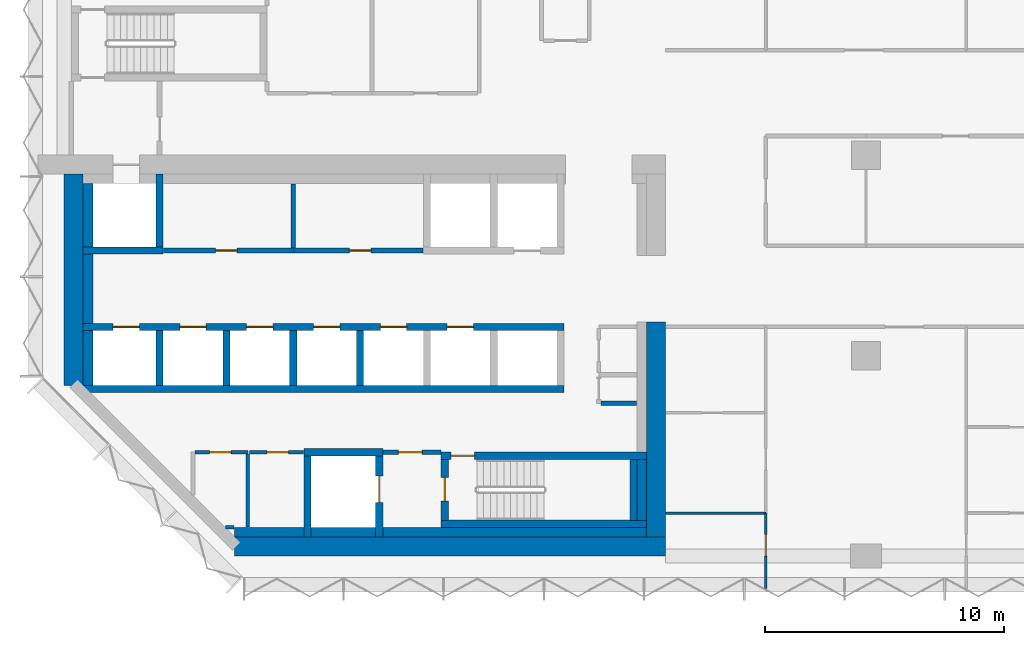
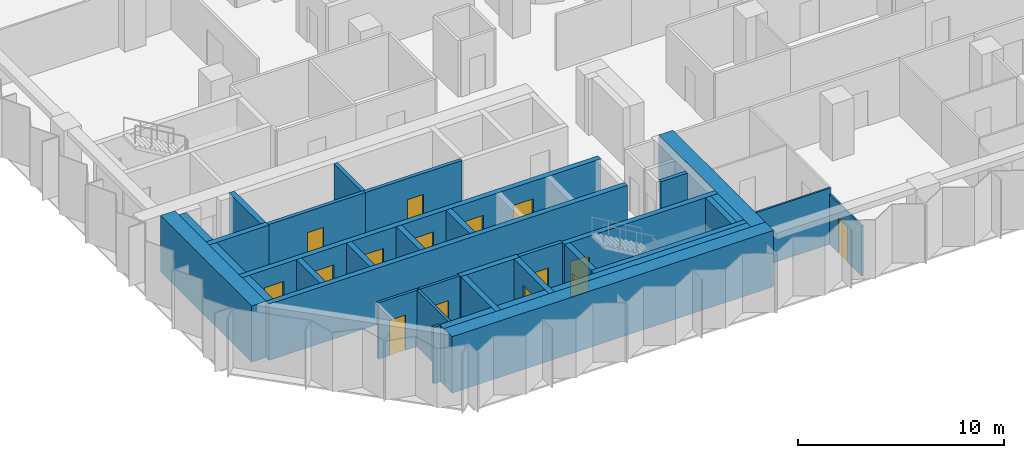
# One storey, part 7 of 13: 36 walls, 15 doors, 15 openings.
"""IFC4 building model written with IfcOpenShell, lengths in metres."""

import ifcopenshell
import ifcopenshell.guid

model = None  # the IFC model being written
_history = None  # IfcOwnerHistory: only IFC2X3 demands one
_inside = {}  # id of a spatial element -> (the spatial element, [elements in it])
_under = {}  # id of a project, library or spatial element -> (it, [spatial elements below it])
_declared = {}  # id of a project -> (the project, [libraries it declares])
_typed = {}  # id of a type object -> (the type object, [elements of that type])
_made_of = {}  # id of a material, layer set ... -> (it, [elements and type objects made of it])


def new_model(schema):
    """Start an empty IFC model of exactly this schema.

    Asked for "IFC4X3", IfcOpenShell would pick the latest addendum, in which some entities
    have other attributes; the version numbers below select the first issue.
    IFC2X3 requires an IfcOwnerHistory on every rooted entity: one is made here for all.
    """
    global model, _history
    if schema == "IFC4X3":
        model = ifcopenshell.file(schema_version=(4, 3, 0, 0))
    else:
        model = ifcopenshell.file(schema=schema)
    _inside.clear()
    _under.clear()
    _declared.clear()
    _typed.clear()
    _made_of.clear()
    _history = None
    if model.schema == "IFC2X3":
        org = make("IfcOrganization", Name="unknown")
        user = make(
            "IfcPersonAndOrganization",
            ThePerson=make("IfcPerson", FamilyName="unknown"),
            TheOrganization=org,
        )
        app = make(
            "IfcApplication",
            ApplicationDeveloper=org,
            Version="unknown",
            ApplicationFullName="unknown",
            ApplicationIdentifier="unknown",
        )
        _history = make(
            "IfcOwnerHistory",
            OwningUser=user,
            OwningApplication=app,
            ChangeAction="ADDED",
            CreationDate=0,
        )
    return model


def make(cls, **values):
    """One entity of the class cls with the attributes given. An attribute that is None is left unset."""
    return model.create_entity(
        cls, **{name: value for name, value in values.items() if value is not None}
    )


def rooted(cls, **values):
    """An entity with a GlobalId (a new one), such as an element, a storey or a relation."""
    return make(cls, GlobalId=ifcopenshell.guid.new(), OwnerHistory=_history, **values)


def si_unit(unit_type, name, prefix=None):
    """IfcSIUnit, for example si_unit("LENGTHUNIT", "METRE", prefix="MILLI")."""
    return make("IfcSIUnit", UnitType=unit_type, Prefix=prefix, Name=name)


def assignment(units):
    """IfcUnitAssignment: the units of a project."""
    return None if units is None else make("IfcUnitAssignment", Units=units)


def point(xyz):
    """IfcCartesianPoint."""
    return None if xyz is None else make("IfcCartesianPoint", Coordinates=xyz)


def direction(xyz):
    """IfcDirection."""
    return None if xyz is None else make("IfcDirection", DirectionRatios=xyz)


def frame(location, z_axis=None, x_axis=None):
    """IfcAxis2Placement3D, a coordinate frame: its origin and axes. An axis left out is left unset."""
    return make(
        "IfcAxis2Placement3D",
        Location=point(location),
        Axis=direction(z_axis),
        RefDirection=direction(x_axis),
    )


def frame_2d(location, x_axis=None):
    """IfcAxis2Placement2D, a coordinate frame in the plane: its origin and x axis."""
    return make(
        "IfcAxis2Placement2D", Location=point(location), RefDirection=direction(x_axis)
    )


def origin():
    """The frame at (0, 0, 0) with its axes left unset."""
    return frame((0.0, 0.0, 0.0))


def place(relative_to, where):
    """IfcLocalPlacement: puts the frame where relative to a parent placement (None: the world)."""
    return make(
        "IfcLocalPlacement", PlacementRelTo=relative_to, RelativePlacement=where
    )


def context(
    kind, dimensions, precision=None, world=None, true_north=None, identifier=None
):
    """IfcGeometricRepresentationContext, for example the 3D "Model" context."""
    return make(
        "IfcGeometricRepresentationContext",
        ContextIdentifier=identifier,
        ContextType=kind,
        CoordinateSpaceDimension=dimensions,
        Precision=precision,
        WorldCoordinateSystem=world,
        TrueNorth=true_north,
    )


def subcontext(parent, identifier, kind, view, scale=None):
    """IfcGeometricRepresentationSubContext, for example "Body" below "Model"."""
    return make(
        "IfcGeometricRepresentationSubContext",
        ContextIdentifier=identifier,
        ContextType=kind,
        ParentContext=parent,
        TargetScale=scale,
        TargetView=view,
    )


def project(units=None, contexts=None):
    """IfcProject with its units and contexts."""
    return rooted(
        "IfcProject",
        Name="project",
        RepresentationContexts=contexts,
        UnitsInContext=assignment(units),
    )


def spatial(cls, under=None, at=None, **own):
    """A site, building, storey or space (cls), placed at a placement, below another one or the project."""
    s = rooted(cls, ObjectPlacement=at, **own)
    if under is not None:
        _under.setdefault(under.id(), (under, []))[1].append(s)
    return s


def profile(cls, at=None, kind="AREA", **sizes):
    """A parametric profile (cls). Its sizes go by their IFC names, for example OverallWidth=200.0."""
    return make(cls, ProfileType=kind, Position=at, **sizes)


def rectangle(**sizes):
    """IfcRectangleProfileDef."""
    return profile("IfcRectangleProfileDef", **sizes)


def extrude(swept, where, along, depth):
    """IfcExtrudedAreaSolid: the profile swept, set in the frame where, extruded along a direction by depth."""
    return make(
        "IfcExtrudedAreaSolid",
        SweptArea=swept,
        Position=where,
        ExtrudedDirection=direction(along),
        Depth=depth,
    )


def shape(context_of_items, identifier, shape_type, items):
    """IfcShapeRepresentation: the items that make up one representation, for example the "Body"."""
    return make(
        "IfcShapeRepresentation",
        ContextOfItems=context_of_items,
        RepresentationIdentifier=identifier,
        RepresentationType=shape_type,
        Items=items,
    )


def material(Name=None, Category=None):
    """IfcMaterial."""
    return make("IfcMaterial", Name=Name, Category=Category)


def layer(
    of_material, thickness, ventilated=None, Name=None, Category=None, Priority=None
):
    """IfcMaterialLayer: one layer of a wall or slab, of a material (None: an air gap)."""
    return make(
        "IfcMaterialLayer",
        Material=of_material,
        LayerThickness=thickness,
        IsVentilated=ventilated,
        Name=Name,
        Category=Category,
        Priority=Priority,
    )


def layer_set(layers, Name=None):
    """IfcMaterialLayerSet."""
    return make("IfcMaterialLayerSet", MaterialLayers=layers, LayerSetName=Name)


def made_of(thing, what):
    """Note that an element or type object is made of a material, layer set ...; save() writes the relation."""
    if what is not None:
        _made_of.setdefault(what.id(), (what, []))[1].append(thing)
    return thing


def type_object(cls, material=None, **own):
    """A type object (cls), such as IfcWallType, which elements share."""
    return made_of(rooted(cls, **own), material)


def element(
    cls,
    number,
    at=None,
    inside=None,
    cuts=None,
    type_object=None,
    material=None,
    context=None,
    identifier="Body",
    shape_type=None,
    held_by="IfcProductDefinitionShape",
    body=None,
    shapes=None,
    **own,
):
    """One element of the class cls, such as IfcWall. Its Tag is "e" and its number.

    at: its placement. inside: the storey or other place that contains it. cuts: it is an
    opening in that element (IfcRelVoidsElement). A single representation is given by context,
    identifier, shape_type and body (its items); several are given by shapes. held_by: the class
    of the entity that holds the representations. save() writes the other relations.
    """
    e = rooted(cls, Tag="e%d" % number, ObjectPlacement=at, **own)
    if body is not None:
        shapes = [shape(context, identifier, shape_type, body)]
    if shapes is not None:
        e.Representation = make(held_by, Representations=shapes)
    if inside is not None:
        _inside.setdefault(inside.id(), (inside, []))[1].append(e)
    if cuts is not None:
        rooted(
            "IfcRelVoidsElement", RelatingBuildingElement=cuts, RelatedOpeningElement=e
        )
    if type_object is not None:
        _typed.setdefault(type_object.id(), (type_object, []))[1].append(e)
    return made_of(e, material)


def fill(opening, filler):
    """IfcRelFillsElement: the door or window that sits in an opening."""
    return rooted(
        "IfcRelFillsElement",
        RelatingOpeningElement=opening,
        RelatedBuildingElement=filler,
    )


def aggregate(whole, parts):
    """IfcRelAggregates: a whole, such as a stair, and the parts it consists of."""
    return rooted("IfcRelAggregates", RelatingObject=whole, RelatedObjects=parts)


def save(model, path):
    """Write the relations noted so far, then the file.

    IfcRelAggregates (storeys below a building ...), IfcRelContainedInSpatialStructure (elements
    in a storey), IfcRelDefinesByType, IfcRelAssociatesMaterial and IfcRelDeclares: one each for
    every whole, place, type object, material and project.
    """
    for whole, parts in _under.values():
        aggregate(whole, parts)
    for where, things in _inside.values():
        rooted(
            "IfcRelContainedInSpatialStructure",
            RelatedElements=things,
            RelatingStructure=where,
        )
    for kind, things in _typed.values():
        rooted("IfcRelDefinesByType", RelatedObjects=things, RelatingType=kind)
    for what, things in _made_of.values():
        rooted("IfcRelAssociatesMaterial", RelatedObjects=things, RelatingMaterial=what)
    for by, libraries in _declared.values():
        rooted("IfcRelDeclares", RelatingContext=by, RelatedDefinitions=libraries)
    model.write(path)


model = new_model("IFC4")

# Units and contexts
model_context = context("Model", 3, precision=1e-05, world=origin(), true_north=direction((0.0, 1.0)))
body_context = subcontext(model_context, "Body", "Model", "MODEL_VIEW")
ifc_project = project(units=[si_unit("LENGTHUNIT", "METRE"), si_unit("AREAUNIT", "SQUARE_METRE"), si_unit("VOLUMEUNIT", "CUBIC_METRE"), si_unit("PLANEANGLEUNIT", "RADIAN"), si_unit("MASSUNIT", "GRAM", prefix="KILO")], contexts=[model_context])

# Site, building, storey
site_placement = place(None, origin())
site = spatial("IfcSite", under=ifc_project, at=site_placement, CompositionType="ELEMENT")
building_placement = place(site_placement, origin())
building = spatial("IfcBuilding", under=site, at=building_placement, Name="Brevane Broadcast Tower", CompositionType="ELEMENT")
storey_placement = place(building_placement, frame((0.0, 0.0, 109.699951171875)))
storey = spatial("IfcBuildingStorey", under=building, at=storey_placement, Name="L26", CompositionType="ELEMENT", Elevation=109.699951171875)

# Walls
ifc_material_1 = material(Name="Concrete C32/40", Category="concrete")
ifc_layer_1 = layer(ifc_material_1, 0.39990234375)
ifc_layer_set_1 = layer_set([ifc_layer_1], Name="Core chase wall 400 mm")
wall_type_1 = type_object("IfcWallType", Name="Core chase wall 400 mm", PredefinedType="PARTITIONING", material=ifc_layer_set_1)
wall_1_placement = place(storey_placement, frame((1.0, 7.14990234375, 0.0), z_axis=(0.0, 0.0, 1.0), x_axis=(0.0, 1.0, 0.0)))
element("IfcWall", 1, at=wall_1_placement, inside=storey, type_object=wall_type_1, Name="L26 chase wall LW-2-1", PredefinedType="PARTITIONING", context=body_context, shape_type="SweptSolid", body=[
    extrude(rectangle(XDim=2.300048828125, YDim=0.39990234375, at=frame_2d((1.14990234375, 0.0))), origin(), (0.0, 0.0, 1.0), 3.35009765625),
])
wall_2_placement = place(storey_placement, frame((1.0, 9.75, 0.0), z_axis=(0.0, 0.0, 1.0), x_axis=(0.0, 1.0, 0.0)))
element("IfcWall", 2, at=wall_2_placement, inside=storey, type_object=wall_type_1, Name="L26 chase wall LW-2-2-1", PredefinedType="PARTITIONING", context=body_context, shape_type="SweptSolid", body=[
    extrude(rectangle(XDim=2.89990234375, YDim=0.39990234375, at=frame_2d((1.449951171875, 0.0))), origin(), (0.0, 0.0, 1.0), 3.35009765625),
])
wall_3_placement = place(storey_placement, frame((1.0, 12.949951171875, 0.0), z_axis=(0.0, 0.0, 1.0), x_axis=(0.0, 1.0, 0.0)))
element("IfcWall", 3, at=wall_3_placement, inside=storey, type_object=wall_type_1, Name="L26 chase wall LW-2-2-2", PredefinedType="PARTITIONING", context=body_context, shape_type="SweptSolid", body=[
    extrude(rectangle(XDim=2.650146484375, YDim=0.39990234375, at=frame_2d((1.3251953125, 0.0))), origin(), (0.0, 0.0, 1.0), 3.35009765625),
])
wall_4_placement = place(storey_placement, frame((7.136474609375, 1.0, 0.0), z_axis=(0.0, 0.0, 1.0), x_axis=(1.0, 0.0, 0.0)))
element("IfcWall", 4, at=wall_4_placement, inside=storey, type_object=wall_type_1, Name="L26 chase wall LS-1", PredefinedType="PARTITIONING", context=body_context, shape_type="SweptSolid", body=[
    extrude(rectangle(XDim=2.91357421875, YDim=0.39990234375, at=frame_2d((1.456787109375, 0.0))), origin(), (0.0, 0.0, 1.0), 3.35009765625),
])
wall_5_placement = place(storey_placement, frame((10.35009765625, 1.0, 0.0), z_axis=(0.0, 0.0, 1.0), x_axis=(1.0, 0.0, 0.0)))
element("IfcWall", 5, at=wall_5_placement, inside=storey, type_object=wall_type_1, Name="L26 chase wall LS-2-1", PredefinedType="PARTITIONING", context=body_context, shape_type="SweptSolid", body=[
    extrude(rectangle(XDim=2.699951171875, YDim=0.39990234375, at=frame_2d((1.35009765625, 0.0))), origin(), (0.0, 0.0, 1.0), 3.35009765625),
])
wall_6_placement = place(storey_placement, frame((13.35009765625, 1.0, 0.0), z_axis=(0.0, 0.0, 1.0), x_axis=(1.0, 0.0, 0.0)))
element("IfcWall", 6, at=wall_6_placement, inside=storey, type_object=wall_type_1, Name="L26 chase wall LS-2-2", PredefinedType="PARTITIONING", context=body_context, shape_type="SweptSolid", body=[
    extrude(rectangle(XDim=11.0498046875, YDim=0.39990234375, at=frame_2d((5.52490234375, 0.0))), origin(), (0.0, 0.0, 1.0), 3.35009765625),
])
wall_7_placement = place(storey_placement, frame((24.199951171875, 1.5, 0.0), z_axis=(0.0, 0.0, 1.0), x_axis=(0.0, 1.0, 0.0)))
element("IfcWall", 7, at=wall_7_placement, inside=storey, type_object=wall_type_1, Name="L26 chase wall LE1-2-1", PredefinedType="PARTITIONING", context=body_context, shape_type="SweptSolid", body=[
    extrude(rectangle(XDim=2.550048828125, YDim=0.39990234375, at=frame_2d((1.27490234375, 0.0))), origin(), (0.0, 0.0, 1.0), 3.35009765625),
])

# Wall, opening, door
ifc_material_2 = material(Name="Gypsum board on steel studs", Category="steel")
ifc_layer_2 = layer(ifc_material_2, 0.14990234375)
ifc_layer_set_2 = layer_set([ifc_layer_2], Name="Core fire partition 150 mm")
wall_type_2 = type_object("IfcWallType", Name="Core fire partition 150 mm", PredefinedType="PARTITIONING", material=ifc_layer_set_2)
wall_8_placement = place(storey_placement, frame((5.47509765625, 4.35009765625, 0.0), z_axis=(0.0, 0.0, 1.0), x_axis=(1.0, 0.0, 0.0)))
wall_8 = element("IfcWall", 8, at=wall_8_placement, inside=storey, type_object=wall_type_2, Name="L26 partition wall P11", PredefinedType="PARTITIONING", context=body_context, shape_type="SweptSolid", body=[
    extrude(rectangle(XDim=2.224853515625, YDim=0.14990234375, at=frame_2d((1.1123046875, 0.0))), origin(), (0.0, 0.0, 1.0), 3.35009765625),
])
opening_1_placement = place(wall_8_placement, frame((0.625, 0.0, 0.0)))
opening_1 = element("IfcOpeningElement", 9, at=opening_1_placement, cuts=wall_8, Name="Opening L26-K16", PredefinedType="OPENING", context=body_context, shape_type="SweptSolid", body=[
    extrude(rectangle(XDim=0.89990234375, YDim=2.10009765625, at=frame_2d((0.449951171875, 1.050048828125))), frame((0.0, 0.0849609375, 0.0), z_axis=(0.0, -1.0, 0.0), x_axis=(1.0, 0.0, 0.0)), (0.0, 0.0, 1.0), 0.169921875),
])
ifc_material_3 = material(Name="Timber", Category="wood")
door_type_1 = type_object("IfcDoorType", Name="Toilet door 900 x 2100", OperationType="SINGLE_SWING_LEFT", PredefinedType="DOOR", material=ifc_material_3)
door_1_placement = place(opening_1_placement, origin())
door_1 = element("IfcDoor", 10, at=door_1_placement, inside=storey, type_object=door_type_1, Name="Door L26-K16", OperationType="SINGLE_SWING_RIGHT", OverallHeight=2.10009765625, OverallWidth=0.89990234375, PredefinedType="DOOR", context=body_context, shape_type="SweptSolid", body=[
    extrude(rectangle(XDim=0.89990234375, YDim=2.10009765625, at=frame_2d((0.449951171875, 1.050048828125))), frame((0.0, 0.02490234375, 0.0), z_axis=(0.0, -1.0, 0.0), x_axis=(1.0, 0.0, 0.0)), (0.0, 0.0, 1.0), 0.050048828125),
])
fill(opening_1, door_1)

# Walls
wall_9_placement = place(storey_placement, frame((7.699951171875, 4.27490234375, 0.0), z_axis=(0.0, 0.0, 1.0), x_axis=(0.0, -1.0, 0.0)))
element("IfcWall", 11, at=wall_9_placement, inside=storey, type_object=wall_type_2, Name="L26 partition wall P12", PredefinedType="PARTITIONING", context=body_context, shape_type="SweptSolid", body=[
    extrude(rectangle(XDim=3.06298828125, YDim=0.14990234375, at=frame_2d((1.531494140625, 0.0))), origin(), (0.0, 0.0, 1.0), 3.35009765625),
])
wall_10_placement = place(storey_placement, frame((7.12451171875, 1.199951171875, 0.0), z_axis=(0.0, 0.0, 1.0), x_axis=(-1.0, 0.0, 0.0)))
element("IfcWall", 12, at=wall_10_placement, inside=storey, type_object=wall_type_2, Name="L26 partition wall P13", PredefinedType="PARTITIONING", context=body_context, shape_type="SweptSolid", body=[
    extrude(rectangle(XDim=0.37109375, YDim=0.14990234375, at=frame_2d((0.185546875, 0.0))), origin(), (0.0, 0.0, 1.0), 3.35009765625),
])

# Wall, opening, door
wall_11_placement = place(storey_placement, frame((10.0380859375, 4.35009765625, 0.0), z_axis=(0.0, 0.0, 1.0), x_axis=(-1.0, 0.0, 0.0)))
wall_11 = element("IfcWall", 13, at=wall_11_placement, inside=storey, type_object=wall_type_2, Name="L26 partition wall P14", PredefinedType="PARTITIONING", context=body_context, shape_type="SweptSolid", body=[
    extrude(rectangle(XDim=2.26318359375, YDim=0.14990234375, at=frame_2d((1.131591796875, 0.0))), origin(), (0.0, 0.0, 1.0), 3.35009765625),
])
opening_2_placement = place(wall_11_placement, frame((0.637939453125, 0.0, 0.0)))
opening_2 = element("IfcOpeningElement", 14, at=opening_2_placement, cuts=wall_11, Name="Opening L26-K17", PredefinedType="OPENING", context=body_context, shape_type="SweptSolid", body=[
    extrude(rectangle(XDim=0.89990234375, YDim=2.10009765625, at=frame_2d((0.449951171875, 1.050048828125))), frame((0.0, 0.0849609375, 0.0), z_axis=(0.0, -1.0, 0.0), x_axis=(1.0, 0.0, 0.0)), (0.0, 0.0, 1.0), 0.169921875),
])
door_2_placement = place(opening_2_placement, origin())
door_2 = element("IfcDoor", 15, at=door_2_placement, inside=storey, type_object=door_type_1, Name="Door L26-K17", OperationType="SINGLE_SWING_LEFT", OverallHeight=2.10009765625, OverallWidth=0.89990234375, PredefinedType="DOOR", context=body_context, shape_type="SweptSolid", body=[
    extrude(rectangle(XDim=0.89990234375, YDim=2.10009765625, at=frame_2d((0.449951171875, 1.050048828125))), frame((0.0, 0.02490234375, 0.0), z_axis=(0.0, -1.0, 0.0), x_axis=(1.0, 0.0, 0.0)), (0.0, 0.0, 1.0), 0.050048828125),
])
fill(opening_2, door_2)

ifc_layer_3 = layer(ifc_material_2, 0.199951171875)
ifc_layer_set_3 = layer_set([ifc_layer_3], Name="Core fire partition 200 mm")
wall_type_3 = type_object("IfcWallType", Name="Core fire partition 200 mm", PredefinedType="PARTITIONING", material=ifc_layer_set_3)
wall_12_placement = place(storey_placement, frame((13.362060546875, 4.35009765625, 0.0), z_axis=(0.0, 0.0, 1.0), x_axis=(1.0, 0.0, 0.0)))
wall_12 = element("IfcWall", 16, at=wall_12_placement, inside=storey, type_object=wall_type_3, Name="L26 partition wall P03", PredefinedType="PARTITIONING", context=body_context, shape_type="SweptSolid", body=[
    extrude(rectangle(XDim=2.426025390625, YDim=0.199951171875, at=frame_2d((1.212890625, 0.0))), origin(), (0.0, 0.0, 1.0), 3.35009765625),
])
opening_3_placement = place(wall_12_placement, frame((0.637939453125, 0.0, 0.0)))
opening_3 = element("IfcOpeningElement", 17, at=opening_3_placement, cuts=wall_12, Name="Opening L26-K18", PredefinedType="OPENING", context=body_context, shape_type="SweptSolid", body=[
    extrude(rectangle(XDim=1.0, YDim=2.10009765625, at=frame_2d((0.5, 1.050048828125))), frame((0.0, 0.10986328125, 0.0), z_axis=(0.0, -1.0, 0.0), x_axis=(1.0, 0.0, 0.0)), (0.0, 0.0, 1.0), 0.219970703125),
])
ifc_material_4 = material(Name="Steel", Category="steel")
door_type_2 = type_object("IfcDoorType", Name="Stair door 1000 x 2100", OperationType="SINGLE_SWING_LEFT", PredefinedType="DOOR", material=ifc_material_4)
door_3_placement = place(opening_3_placement, origin())
door_3 = element("IfcDoor", 18, at=door_3_placement, inside=storey, type_object=door_type_2, Name="Door L26-K18", OperationType="SINGLE_SWING_RIGHT", OverallHeight=2.10009765625, OverallWidth=1.0, PredefinedType="DOOR", context=body_context, shape_type="SweptSolid", body=[
    extrude(rectangle(XDim=1.0, YDim=2.10009765625, at=frame_2d((0.5, 1.050048828125))), frame((0.0, 0.02490234375, 0.0), z_axis=(0.0, -1.0, 0.0), x_axis=(1.0, 0.0, 0.0)), (0.0, 0.0, 1.0), 0.050048828125),
])
fill(opening_3, door_3)

wall_13_placement = place(storey_placement, frame((4.162109375, 12.800048828125, 0.0), z_axis=(0.0, 0.0, 1.0), x_axis=(1.0, 0.0, 0.0)))
wall_13 = element("IfcWall", 19, at=wall_13_placement, inside=storey, type_object=wall_type_3, Name="L26 partition wall P04", PredefinedType="PARTITIONING", context=body_context, shape_type="SweptSolid", body=[
    extrude(rectangle(XDim=5.43798828125, YDim=0.199951171875, at=frame_2d((2.718994140625, 0.0))), origin(), (0.0, 0.0, 1.0), 3.35009765625),
])
opening_4_placement = place(wall_13_placement, frame((2.18798828125, 0.0, 0.0)))
opening_4 = element("IfcOpeningElement", 20, at=opening_4_placement, cuts=wall_13, Name="Opening L26-K21", PredefinedType="OPENING", context=body_context, shape_type="SweptSolid", body=[
    extrude(rectangle(XDim=0.89990234375, YDim=2.10009765625, at=frame_2d((0.449951171875, 1.050048828125))), frame((0.0, 0.10986328125, 0.0), z_axis=(0.0, -1.0, 0.0), x_axis=(1.0, 0.0, 0.0)), (0.0, 0.0, 1.0), 0.219970703125),
])
door_type_3 = type_object("IfcDoorType", Name="Service room door 900 x 2100", OperationType="SINGLE_SWING_LEFT", PredefinedType="DOOR", material=ifc_material_4)
door_4_placement = place(opening_4_placement, origin())
door_4 = element("IfcDoor", 21, at=door_4_placement, inside=storey, type_object=door_type_3, Name="Door L26-K21", OperationType="SINGLE_SWING_LEFT", OverallHeight=2.10009765625, OverallWidth=0.89990234375, PredefinedType="DOOR", context=body_context, shape_type="SweptSolid", body=[
    extrude(rectangle(XDim=0.89990234375, YDim=2.10009765625, at=frame_2d((0.449951171875, 1.050048828125))), frame((0.0, 0.02490234375, 0.0), z_axis=(0.0, -1.0, 0.0), x_axis=(1.0, 0.0, 0.0)), (0.0, 0.0, 1.0), 0.050048828125),
])
fill(opening_4, door_4)

wall_14_placement = place(storey_placement, frame((9.60009765625, 12.800048828125, 0.0), z_axis=(0.0, 0.0, 1.0), x_axis=(1.0, 0.0, 0.0)))
wall_14 = element("IfcWall", 22, at=wall_14_placement, inside=storey, type_object=wall_type_3, Name="L26 partition wall P05", PredefinedType="PARTITIONING", context=body_context, shape_type="SweptSolid", body=[
    extrude(rectangle(XDim=5.43798828125, YDim=0.199951171875, at=frame_2d((2.718994140625, 0.0))), origin(), (0.0, 0.0, 1.0), 3.35009765625),
])
opening_5_placement = place(wall_14_placement, frame((2.35009765625, 0.0, 0.0)))
opening_5 = element("IfcOpeningElement", 23, at=opening_5_placement, cuts=wall_14, Name="Opening L26-K22", PredefinedType="OPENING", context=body_context, shape_type="SweptSolid", body=[
    extrude(rectangle(XDim=0.89990234375, YDim=2.10009765625, at=frame_2d((0.449951171875, 1.050048828125))), frame((0.0, 0.10986328125, 0.0), z_axis=(0.0, -1.0, 0.0), x_axis=(1.0, 0.0, 0.0)), (0.0, 0.0, 1.0), 0.219970703125),
])
door_5_placement = place(opening_5_placement, origin())
door_5 = element("IfcDoor", 24, at=door_5_placement, inside=storey, type_object=door_type_3, Name="Door L26-K22", OperationType="SINGLE_SWING_RIGHT", OverallHeight=2.10009765625, OverallWidth=0.89990234375, PredefinedType="DOOR", context=body_context, shape_type="SweptSolid", body=[
    extrude(rectangle(XDim=0.89990234375, YDim=2.10009765625, at=frame_2d((0.449951171875, 1.050048828125))), frame((0.0, 0.02490234375, 0.0), z_axis=(0.0, -1.0, 0.0), x_axis=(1.0, 0.0, 0.0)), (0.0, 0.0, 1.0), 0.050048828125),
])
fill(opening_5, door_5)

# Walls
wall_15_placement = place(storey_placement, frame((9.60009765625, 15.587890625, 0.0), z_axis=(0.0, 0.0, 1.0), x_axis=(0.0, -1.0, 0.0)))
element("IfcWall", 25, at=wall_15_placement, inside=storey, type_object=wall_type_3, Name="L26 partition wall P06", PredefinedType="PARTITIONING", context=body_context, shape_type="SweptSolid", body=[
    extrude(rectangle(XDim=2.68798828125, YDim=0.199951171875, at=frame_2d((1.343994140625, 0.0))), origin(), (0.0, 0.0, 1.0), 3.35009765625),
])
wall_16_placement = place(storey_placement, frame((22.5, 6.39990234375, 0.0), z_axis=(0.0, 0.0, 1.0), x_axis=(1.0, 0.0, 0.0)))
element("IfcWall", 26, at=wall_16_placement, inside=storey, type_object=wall_type_3, Name="L26 partition wall P09", PredefinedType="PARTITIONING", context=body_context, shape_type="SweptSolid", body=[
    extrude(rectangle(XDim=1.488037109375, YDim=0.199951171875, at=frame_2d((0.744140625, 0.0))), origin(), (0.0, 0.0, 1.0), 3.35009765625),
])
ifc_material_5 = material(Name="Concrete C60/75", Category="concrete")
ifc_layer_4 = layer(ifc_material_5, 0.300048828125)
ifc_layer_set_4 = layer_set([ifc_layer_4], Name="Core wall 300 mm C60/75")
wall_type_4 = type_object("IfcWallType", Name="Core wall 300 mm C60/75", PredefinedType="SHEAR", material=ifc_layer_set_4)
wall_17_placement = place(storey_placement, frame((0.800048828125, 7.0, 0.0), z_axis=(0.0, 0.0, 1.0), x_axis=(1.0, 0.0, 0.0)))
element("IfcWall", 27, at=wall_17_placement, inside=storey, type_object=wall_type_4, Name="L26 shaft wall SH-S012-back", PredefinedType="SHEAR", context=body_context, shape_type="SweptSolid", body=[
    extrude(rectangle(XDim=20.14990234375, YDim=0.300048828125, at=frame_2d((10.074951171875, 0.0))), origin(), (0.0, 0.0, 1.0), 3.35009765625),
])

# Wall, openings, doors
wall_18_placement = place(storey_placement, frame((0.800048828125, 9.60009765625, 0.0), z_axis=(0.0, 0.0, 1.0), x_axis=(1.0, 0.0, 0.0)))
wall_18 = element("IfcWall", 28, at=wall_18_placement, inside=storey, type_object=wall_type_4, Name="L26 shaft wall SH-S012-front", PredefinedType="SHEAR", context=body_context, shape_type="SweptSolid", body=[
    extrude(rectangle(XDim=20.14990234375, YDim=0.300048828125, at=frame_2d((10.074951171875, 0.0))), origin(), (0.0, 0.0, 1.0), 3.35009765625),
])
opening_6_placement = place(wall_18_placement, frame((1.25, 0.0, 0.0)))
opening_6 = element("IfcOpeningElement", 29, at=opening_6_placement, cuts=wall_18, Name="Opening LD", PredefinedType="OPENING", context=body_context, shape_type="SweptSolid", body=[
    extrude(rectangle(XDim=1.10009765625, YDim=2.300048828125, at=frame_2d((0.550048828125, 1.14990234375))), frame((0.0, 0.159912109375, 0.0), z_axis=(0.0, -1.0, 0.0), x_axis=(1.0, 0.0, 0.0)), (0.0, 0.0, 1.0), 0.320068359375),
])
opening_7_placement = place(wall_18_placement, frame((4.050048828125, 0.0, 0.0)))
opening_7 = element("IfcOpeningElement", 30, at=opening_7_placement, cuts=wall_18, Name="Opening LD", PredefinedType="OPENING", context=body_context, shape_type="SweptSolid", body=[
    extrude(rectangle(XDim=1.10009765625, YDim=2.300048828125, at=frame_2d((0.550048828125, 1.14990234375))), frame((0.0, 0.159912109375, 0.0), z_axis=(0.0, -1.0, 0.0), x_axis=(1.0, 0.0, 0.0)), (0.0, 0.0, 1.0), 0.320068359375),
])
opening_8_placement = place(wall_18_placement, frame((6.85009765625, 0.0, 0.0)))
opening_8 = element("IfcOpeningElement", 31, at=opening_8_placement, cuts=wall_18, Name="Opening LD", PredefinedType="OPENING", context=body_context, shape_type="SweptSolid", body=[
    extrude(rectangle(XDim=1.10009765625, YDim=2.300048828125, at=frame_2d((0.550048828125, 1.14990234375))), frame((0.0, 0.159912109375, 0.0), z_axis=(0.0, -1.0, 0.0), x_axis=(1.0, 0.0, 0.0)), (0.0, 0.0, 1.0), 0.320068359375),
])
opening_9_placement = place(wall_18_placement, frame((9.64990234375, 0.0, 0.0)))
opening_9 = element("IfcOpeningElement", 32, at=opening_9_placement, cuts=wall_18, Name="Opening LD", PredefinedType="OPENING", context=body_context, shape_type="SweptSolid", body=[
    extrude(rectangle(XDim=1.10009765625, YDim=2.300048828125, at=frame_2d((0.550048828125, 1.14990234375))), frame((0.0, 0.159912109375, 0.0), z_axis=(0.0, -1.0, 0.0), x_axis=(1.0, 0.0, 0.0)), (0.0, 0.0, 1.0), 0.320068359375),
])
opening_10_placement = place(wall_18_placement, frame((12.449951171875, 0.0, 0.0)))
opening_10 = element("IfcOpeningElement", 33, at=opening_10_placement, cuts=wall_18, Name="Opening LD", PredefinedType="OPENING", context=body_context, shape_type="SweptSolid", body=[
    extrude(rectangle(XDim=1.10009765625, YDim=2.300048828125, at=frame_2d((0.550048828125, 1.14990234375))), frame((0.0, 0.159912109375, 0.0), z_axis=(0.0, -1.0, 0.0), x_axis=(1.0, 0.0, 0.0)), (0.0, 0.0, 1.0), 0.320068359375),
])
opening_11_placement = place(wall_18_placement, frame((15.25, 0.0, 0.0)))
opening_11 = element("IfcOpeningElement", 34, at=opening_11_placement, cuts=wall_18, Name="Opening LD", PredefinedType="OPENING", context=body_context, shape_type="SweptSolid", body=[
    extrude(rectangle(XDim=1.10009765625, YDim=2.300048828125, at=frame_2d((0.550048828125, 1.14990234375))), frame((0.0, 0.159912109375, 0.0), z_axis=(0.0, -1.0, 0.0), x_axis=(1.0, 0.0, 0.0)), (0.0, 0.0, 1.0), 0.320068359375),
])
ifc_material_6 = material(Name="Stainless steel", Category="steel")
door_type_4 = type_object("IfcDoorType", Name="Lift landing door", OperationType="SLIDING_TO_LEFT", PredefinedType="DOOR", material=ifc_material_6)
door_6_placement = place(opening_6_placement, origin())
door_6 = element("IfcDoor", 35, at=door_6_placement, inside=storey, type_object=door_type_4, Name="Landing door LR1 L26", OperationType="SLIDING_TO_LEFT", OverallHeight=2.300048828125, OverallWidth=1.10009765625, PredefinedType="DOOR", context=body_context, shape_type="SweptSolid", body=[
    extrude(rectangle(XDim=1.10009765625, YDim=2.300048828125, at=frame_2d((0.550048828125, 1.14990234375))), frame((0.0, 0.02490234375, 0.0), z_axis=(0.0, -1.0, 0.0), x_axis=(1.0, 0.0, 0.0)), (0.0, 0.0, 1.0), 0.050048828125),
])
fill(opening_6, door_6)
door_7_placement = place(opening_7_placement, origin())
door_7 = element("IfcDoor", 36, at=door_7_placement, inside=storey, type_object=door_type_4, Name="Landing door LR2 L26", OperationType="SLIDING_TO_LEFT", OverallHeight=2.300048828125, OverallWidth=1.10009765625, PredefinedType="DOOR", context=body_context, shape_type="SweptSolid", body=[
    extrude(rectangle(XDim=1.10009765625, YDim=2.300048828125, at=frame_2d((0.550048828125, 1.14990234375))), frame((0.0, 0.02490234375, 0.0), z_axis=(0.0, -1.0, 0.0), x_axis=(1.0, 0.0, 0.0)), (0.0, 0.0, 1.0), 0.050048828125),
])
fill(opening_7, door_7)
door_8_placement = place(opening_8_placement, origin())
door_8 = element("IfcDoor", 37, at=door_8_placement, inside=storey, type_object=door_type_4, Name="Landing door LR3 L26", OperationType="SLIDING_TO_LEFT", OverallHeight=2.300048828125, OverallWidth=1.10009765625, PredefinedType="DOOR", context=body_context, shape_type="SweptSolid", body=[
    extrude(rectangle(XDim=1.10009765625, YDim=2.300048828125, at=frame_2d((0.550048828125, 1.14990234375))), frame((0.0, 0.02490234375, 0.0), z_axis=(0.0, -1.0, 0.0), x_axis=(1.0, 0.0, 0.0)), (0.0, 0.0, 1.0), 0.050048828125),
])
fill(opening_8, door_8)
door_9_placement = place(opening_9_placement, origin())
door_9 = element("IfcDoor", 38, at=door_9_placement, inside=storey, type_object=door_type_4, Name="Landing door LR4 L26", OperationType="SLIDING_TO_LEFT", OverallHeight=2.300048828125, OverallWidth=1.10009765625, PredefinedType="DOOR", context=body_context, shape_type="SweptSolid", body=[
    extrude(rectangle(XDim=1.10009765625, YDim=2.300048828125, at=frame_2d((0.550048828125, 1.14990234375))), frame((0.0, 0.02490234375, 0.0), z_axis=(0.0, -1.0, 0.0), x_axis=(1.0, 0.0, 0.0)), (0.0, 0.0, 1.0), 0.050048828125),
])
fill(opening_9, door_9)
door_10_placement = place(opening_10_placement, origin())
door_10 = element("IfcDoor", 39, at=door_10_placement, inside=storey, type_object=door_type_4, Name="Landing door LR5 L26", OperationType="SLIDING_TO_LEFT", OverallHeight=2.300048828125, OverallWidth=1.10009765625, PredefinedType="DOOR", context=body_context, shape_type="SweptSolid", body=[
    extrude(rectangle(XDim=1.10009765625, YDim=2.300048828125, at=frame_2d((0.550048828125, 1.14990234375))), frame((0.0, 0.02490234375, 0.0), z_axis=(0.0, -1.0, 0.0), x_axis=(1.0, 0.0, 0.0)), (0.0, 0.0, 1.0), 0.050048828125),
])
fill(opening_10, door_10)
door_11_placement = place(opening_11_placement, origin())
door_11 = element("IfcDoor", 40, at=door_11_placement, inside=storey, type_object=door_type_4, Name="Landing door LR6 L26", OperationType="SLIDING_TO_LEFT", OverallHeight=2.300048828125, OverallWidth=1.10009765625, PredefinedType="DOOR", context=body_context, shape_type="SweptSolid", body=[
    extrude(rectangle(XDim=1.10009765625, YDim=2.300048828125, at=frame_2d((0.550048828125, 1.14990234375))), frame((0.0, 0.02490234375, 0.0), z_axis=(0.0, -1.0, 0.0), x_axis=(1.0, 0.0, 0.0)), (0.0, 0.0, 1.0), 0.050048828125),
])
fill(opening_11, door_11)

# Walls
for number, where, z_axis, x_axis, name in (
    (41, (4.0, 7.14990234375, 0.0), (0.0, 0.0, 1.0), (0.0, 1.0, 0.0), "L26 shaft wall SH-S-P040"),
    (42, (6.800048828125, 7.14990234375, 0.0), (0.0, 0.0, 1.0), (0.0, 1.0, 0.0), "L26 shaft wall SH-S-P068"),
    (43, (9.60009765625, 7.14990234375, 0.0), (0.0, 0.0, 1.0), (0.0, 1.0, 0.0), "L26 shaft wall SH-S-P096"),
    (44, (12.39990234375, 7.14990234375, 0.0), (0.0, 0.0, 1.0), (0.0, 1.0, 0.0), "L26 shaft wall SH-S-P124"),
):
    element("IfcWall", number, at=place(storey_placement, frame(where, z_axis=z_axis, x_axis=x_axis)), inside=storey, type_object=wall_type_4, Name=name, PredefinedType="SHEAR", context=body_context, shape_type="SweptSolid", body=[
        extrude(rectangle(XDim=2.300048828125, YDim=0.300048828125, at=frame_2d((1.14990234375, 0.0))), origin(), (0.0, 0.0, 1.0), 3.35009765625),
    ])
wall_19_placement = place(storey_placement, frame((0.800048828125, 12.800048828125, 0.0), z_axis=(0.0, 0.0, 1.0), x_axis=(1.0, 0.0, 0.0)))
element("IfcWall", 45, at=wall_19_placement, inside=storey, type_object=wall_type_4, Name="L26 shaft wall SH-N012-front", PredefinedType="SHEAR", context=body_context, shape_type="SweptSolid", body=[
    extrude(rectangle(XDim=3.349853515625, YDim=0.300048828125, at=frame_2d((1.6748046875, 0.0))), origin(), (0.0, 0.0, 1.0), 3.35009765625),
])
wall_20_placement = place(storey_placement, frame((4.0, 12.949951171875, 0.0), z_axis=(0.0, 0.0, 1.0), x_axis=(0.0, 1.0, 0.0)))
element("IfcWall", 46, at=wall_20_placement, inside=storey, type_object=wall_type_4, Name="L26 shaft wall SH-N-P040", PredefinedType="SHEAR", context=body_context, shape_type="SweptSolid", body=[
    extrude(rectangle(XDim=3.050048828125, YDim=0.300048828125, at=frame_2d((1.52490234375, 0.0))), origin(), (0.0, 0.0, 1.0), 3.35009765625),
])
wall_21_placement = place(storey_placement, frame((10.199951171875, 0.800048828125, 0.0), z_axis=(0.0, 0.0, 1.0), x_axis=(0.0, 1.0, 0.0)))
element("IfcWall", 47, at=wall_21_placement, inside=storey, type_object=wall_type_4, Name="L26 shaft wall FF2-W", PredefinedType="SHEAR", context=body_context, shape_type="SweptSolid", body=[
    extrude(rectangle(XDim=3.39990234375, YDim=0.300048828125, at=frame_2d((1.699951171875, 0.0))), origin(), (0.0, 0.0, 1.0), 3.35009765625),
])

# Wall, opening, door
wall_22_placement = place(storey_placement, frame((13.199951171875, 0.800048828125, 0.0), z_axis=(0.0, 0.0, 1.0), x_axis=(0.0, 1.0, 0.0)))
wall_22 = element("IfcWall", 48, at=wall_22_placement, inside=storey, type_object=wall_type_4, Name="L26 shaft wall FF2-E", PredefinedType="SHEAR", context=body_context, shape_type="SweptSolid", body=[
    extrude(rectangle(XDim=3.39990234375, YDim=0.300048828125, at=frame_2d((1.699951171875, 0.0))), origin(), (0.0, 0.0, 1.0), 3.35009765625),
])
opening_12_placement = place(wall_22_placement, frame((1.449951171875, 0.0, 0.0)))
opening_12 = element("IfcOpeningElement", 49, at=opening_12_placement, cuts=wall_22, Name="Opening LD", PredefinedType="OPENING", context=body_context, shape_type="SweptSolid", body=[
    extrude(rectangle(XDim=1.10009765625, YDim=2.300048828125, at=frame_2d((0.550048828125, 1.14990234375))), frame((0.0, 0.159912109375, 0.0), z_axis=(0.0, -1.0, 0.0), x_axis=(1.0, 0.0, 0.0)), (0.0, 0.0, 1.0), 0.320068359375),
])
door_12_placement = place(opening_12_placement, origin())
door_12 = element("IfcDoor", 50, at=door_12_placement, inside=storey, type_object=door_type_4, Name="Landing door FF2 L26", OperationType="SLIDING_TO_LEFT", OverallHeight=2.300048828125, OverallWidth=1.10009765625, PredefinedType="DOOR", context=body_context, shape_type="SweptSolid", body=[
    extrude(rectangle(XDim=1.10009765625, YDim=2.300048828125, at=frame_2d((0.550048828125, 1.14990234375))), frame((0.0, 0.02490234375, 0.0), z_axis=(0.0, -1.0, 0.0), x_axis=(1.0, 0.0, 0.0)), (0.0, 0.0, 1.0), 0.050048828125),
])
fill(opening_12, door_12)

# Walls
wall_23_placement = place(storey_placement, frame((10.050048828125, 4.35009765625, 0.0), z_axis=(0.0, 0.0, 1.0), x_axis=(1.0, 0.0, 0.0)))
element("IfcWall", 51, at=wall_23_placement, inside=storey, type_object=wall_type_4, Name="L26 shaft wall FF2-N", PredefinedType="SHEAR", context=body_context, shape_type="SweptSolid", body=[
    extrude(rectangle(XDim=3.300048828125, YDim=0.300048828125, at=frame_2d((1.64990234375, 0.0))), origin(), (0.0, 0.0, 1.0), 3.35009765625),
])
wall_24_placement = place(storey_placement, frame((15.800048828125, 1.35009765625, 0.0), z_axis=(0.0, 0.0, 1.0), x_axis=(1.0, 0.0, 0.0)))
element("IfcWall", 52, at=wall_24_placement, inside=storey, type_object=wall_type_4, Name="L26 stair wall ST-2-S", PredefinedType="SHEAR", context=body_context, shape_type="SweptSolid", body=[
    extrude(rectangle(XDim=8.599853515625, YDim=0.300048828125, at=frame_2d((4.2998046875, 0.0))), origin(), (0.0, 0.0, 1.0), 3.35009765625),
])

# Wall, opening, door
wall_25_placement = place(storey_placement, frame((15.800048828125, 4.199951171875, 0.0), z_axis=(0.0, 0.0, 1.0), x_axis=(1.0, 0.0, 0.0)))
wall_25 = element("IfcWall", 53, at=wall_25_placement, inside=storey, type_object=wall_type_4, Name="L26 stair wall ST-2-N", PredefinedType="SHEAR", context=body_context, shape_type="SweptSolid", body=[
    extrude(rectangle(XDim=8.599853515625, YDim=0.300048828125, at=frame_2d((4.2998046875, 0.0))), origin(), (0.0, 0.0, 1.0), 3.35009765625),
])
opening_13_placement = place(wall_25_placement, frame((0.39990234375, 0.0, 0.0)))
opening_13 = element("IfcOpeningElement", 54, at=opening_13_placement, cuts=wall_25, Name="Opening L26-K13", PredefinedType="OPENING", context=body_context, shape_type="SweptSolid", body=[
    extrude(rectangle(XDim=1.0, YDim=2.10009765625, at=frame_2d((0.5, 1.050048828125))), frame((0.0, 0.159912109375, 0.0), z_axis=(0.0, -1.0, 0.0), x_axis=(1.0, 0.0, 0.0)), (0.0, 0.0, 1.0), 0.320068359375),
])
door_13_placement = place(opening_13_placement, origin())
door_13 = element("IfcDoor", 55, at=door_13_placement, inside=storey, type_object=door_type_2, Name="Door L26-K13", OperationType="SINGLE_SWING_LEFT", OverallHeight=2.10009765625, OverallWidth=1.0, PredefinedType="DOOR", context=body_context, shape_type="SweptSolid", body=[
    extrude(rectangle(XDim=1.0, YDim=2.10009765625, at=frame_2d((0.5, 1.050048828125))), frame((0.0, 0.02490234375, 0.0), z_axis=(0.0, -1.0, 0.0), x_axis=(1.0, 0.0, 0.0)), (0.0, 0.0, 1.0), 0.050048828125),
])
fill(opening_13, door_13)

wall_26_placement = place(storey_placement, frame((15.949951171875, 1.5, 0.0), z_axis=(0.0, 0.0, 1.0), x_axis=(0.0, 1.0, 0.0)))
wall_26 = element("IfcWall", 56, at=wall_26_placement, inside=storey, type_object=wall_type_4, Name="L26 stair wall ST-2-W", PredefinedType="SHEAR", context=body_context, shape_type="SweptSolid", body=[
    extrude(rectangle(XDim=2.550048828125, YDim=0.300048828125, at=frame_2d((1.27490234375, 0.0))), origin(), (0.0, 0.0, 1.0), 3.35009765625),
])
opening_14_placement = place(wall_26_placement, frame((0.800048828125, 0.0, 0.0)))
opening_14 = element("IfcOpeningElement", 57, at=opening_14_placement, cuts=wall_26, Name="Opening L26-K12", PredefinedType="OPENING", context=body_context, shape_type="SweptSolid", body=[
    extrude(rectangle(XDim=1.0, YDim=2.10009765625, at=frame_2d((0.5, 1.050048828125))), frame((0.0, 0.159912109375, 0.0), z_axis=(0.0, -1.0, 0.0), x_axis=(1.0, 0.0, 0.0)), (0.0, 0.0, 1.0), 0.320068359375),
])
door_14_placement = place(opening_14_placement, origin())
door_14 = element("IfcDoor", 58, at=door_14_placement, inside=storey, type_object=door_type_2, Name="Door L26-K12", OperationType="SINGLE_SWING_RIGHT", OverallHeight=2.10009765625, OverallWidth=1.0, PredefinedType="DOOR", context=body_context, shape_type="SweptSolid", body=[
    extrude(rectangle(XDim=1.0, YDim=2.10009765625, at=frame_2d((0.5, 1.050048828125))), frame((0.0, 0.02490234375, 0.0), z_axis=(0.0, -1.0, 0.0), x_axis=(1.0, 0.0, 0.0)), (0.0, 0.0, 1.0), 0.050048828125),
])
fill(opening_14, door_14)

# Walls
wall_27_placement = place(storey_placement, frame((23.85009765625, 1.5, 0.0), z_axis=(0.0, 0.0, 1.0), x_axis=(0.0, 1.0, 0.0)))
element("IfcWall", 59, at=wall_27_placement, inside=storey, type_object=wall_type_4, Name="L26 stair wall ST-2-E", PredefinedType="SHEAR", context=body_context, shape_type="SweptSolid", body=[
    extrude(rectangle(XDim=2.550048828125, YDim=0.300048828125, at=frame_2d((1.27490234375, 0.0))), origin(), (0.0, 0.0, 1.0), 3.35009765625),
])
ifc_layer_5 = layer(ifc_material_5, 0.800048828125)
ifc_layer_set_5 = layer_set([ifc_layer_5], Name="Core wall 800 mm C60/75")
wall_type_5 = type_object("IfcWallType", Name="Core wall 800 mm C60/75", PredefinedType="SHEAR", material=ifc_layer_set_5)
wall_28_placement = place(storey_placement, frame((7.136474609375, 0.39990234375, 0.0), z_axis=(0.0, 0.0, 1.0), x_axis=(1.0, 0.0, 0.0)))
element("IfcWall", 60, at=wall_28_placement, inside=storey, type_object=wall_type_5, Name="L26 outer wall WS", PredefinedType="SHEAR", context=body_context, shape_type="SweptSolid", body=[
    extrude(rectangle(XDim=18.0634765625, YDim=0.800048828125, at=frame_2d((9.03173828125, 0.0))), origin(), (0.0, 0.0, 1.0), 3.35009765625),
])
wall_29_placement = place(storey_placement, frame((0.39990234375, 7.136474609375, 0.0), z_axis=(0.0, 0.0, 1.0), x_axis=(0.0, 1.0, 0.0)))
element("IfcWall", 61, at=wall_29_placement, inside=storey, type_object=wall_type_5, Name="L26 outer wall WW", PredefinedType="SHEAR", context=body_context, shape_type="SweptSolid", body=[
    extrude(rectangle(XDim=8.863525390625, YDim=0.800048828125, at=frame_2d((4.431640625, 0.0))), origin(), (0.0, 0.0, 1.0), 3.35009765625),
])
wall_30_placement = place(storey_placement, frame((24.800048828125, 0.800048828125, 0.0), z_axis=(0.0, 0.0, 1.0), x_axis=(0.0, 1.0, 0.0)))
element("IfcWall", 62, at=wall_30_placement, inside=storey, type_object=wall_type_5, Name="L26 outer wall WE1", PredefinedType="SHEAR", context=body_context, shape_type="SweptSolid", body=[
    extrude(rectangle(XDim=9.0, YDim=0.800048828125, at=frame_2d((4.5, 0.0))), origin(), (0.0, 0.0, 1.0), 3.35009765625),
])

# Wall, opening, door
ifc_material_7 = material(Name="Gypsum board partition")
ifc_layer_6 = layer(ifc_material_7, 0.10009765625)
ifc_layer_set_6 = layer_set([ifc_layer_6], Name="PARTITION 100 STUD")
wall_type_6 = type_object("IfcWallType", Name="PARTITION 100 STUD", PredefinedType="PARTITIONING", material=ifc_layer_set_6)
wall_31_placement = place(storey_placement, frame((29.39990234375, -1.364990234375, 0.0), z_axis=(0.0, 0.0, 1.0), x_axis=(0.0, 1.0, 0.0)))
wall_31 = element("IfcWall", 63, at=wall_31_placement, inside=storey, type_object=wall_type_6, Name="Partition G07-031", PredefinedType="PARTITIONING", context=body_context, shape_type="SweptSolid", body=[
    extrude(rectangle(XDim=3.1650390625, YDim=0.10009765625, at=frame_2d((1.58251953125, 0.0))), origin(), (0.0, 0.0, 1.0), 2.97998046875),
])
opening_15_placement = place(wall_31_placement, frame((1.364990234375, 0.0, 0.0)))
opening_15 = element("IfcOpeningElement", 64, at=opening_15_placement, cuts=wall_31, Name="Opening D14-010", PredefinedType="OPENING", context=body_context, shape_type="SweptSolid", body=[
    extrude(rectangle(XDim=0.89990234375, YDim=2.10009765625, at=frame_2d((0.449951171875, 1.050048828125))), frame((0.0, 0.06005859375, 0.0), z_axis=(0.0, -1.0, 0.0), x_axis=(1.0, 0.0, 0.0)), (0.0, 0.0, 1.0), 0.1201171875),
])
ifc_material_8 = material(Name="Timber door leaf", Category="wood")
door_type_5 = type_object("IfcDoorType", Name="DOOR SINGLE 900 INTERNAL", OperationType="SINGLE_SWING_LEFT", PredefinedType="DOOR", material=ifc_material_8)
door_15_placement = place(opening_15_placement, origin())
door_15 = element("IfcDoor", 65, at=door_15_placement, inside=storey, type_object=door_type_5, Name="Door D14-010", OperationType="SINGLE_SWING_LEFT", OverallHeight=2.10009765625, OverallWidth=0.89990234375, PredefinedType="DOOR", context=body_context, shape_type="SweptSolid", body=[
    extrude(rectangle(XDim=0.89990234375, YDim=2.10009765625, at=frame_2d((0.449951171875, 1.050048828125))), frame((0.0, 0.02490234375, 0.0), z_axis=(0.0, -1.0, 0.0), x_axis=(1.0, 0.0, 0.0)), (0.0, 0.0, 1.0), 0.050048828125),
])
fill(opening_15, door_15)

# Wall
wall_32_placement = place(storey_placement, frame((25.199951171875, 1.800048828125, 0.0), z_axis=(0.0, 0.0, 1.0), x_axis=(1.0, 0.0, 0.0)))
element("IfcWall", 66, at=wall_32_placement, inside=storey, type_object=wall_type_6, Name="Partition G07-041", PredefinedType="PARTITIONING", context=body_context, shape_type="SweptSolid", body=[
    extrude(rectangle(XDim=4.199951171875, YDim=0.10009765625, at=frame_2d((2.10009765625, 0.0))), origin(), (0.0, 0.0, 1.0), 3.330078125),
])

save(model, "model.ifc")
